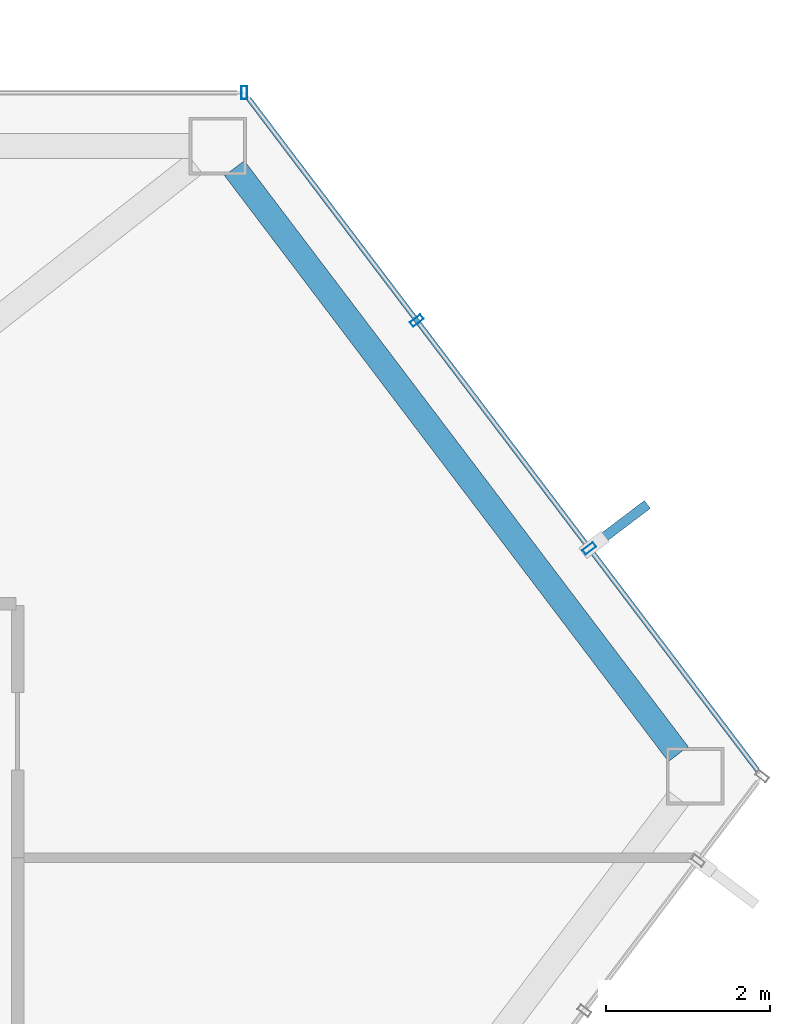
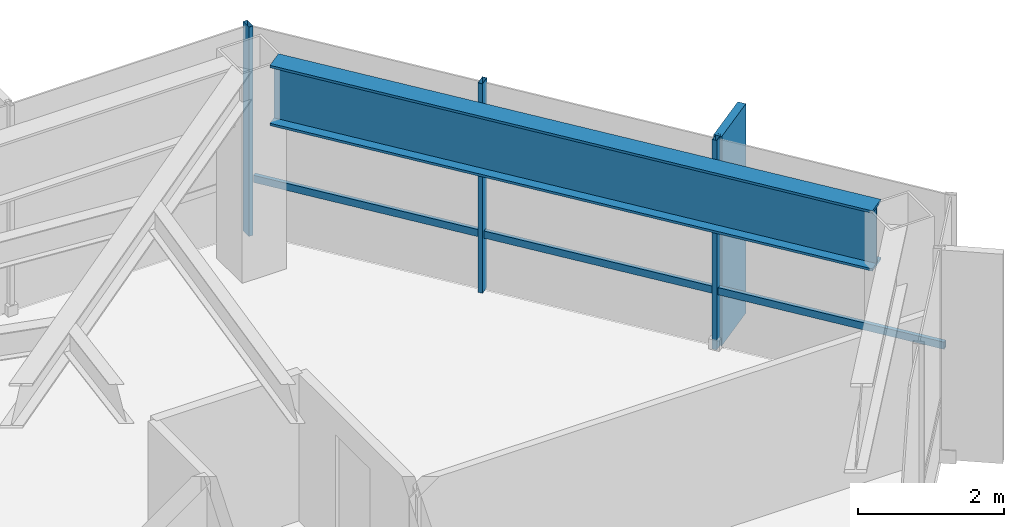
# One storey, part 22 of 27: 5 members, 1 beam, 2 elements without a shape of their own.
"""IFC4 building model written with IfcOpenShell, lengths in metres."""

from ifc_helpers import new_model, si_unit, direction, frame, origin, origin_2d, place, context, subcontext, project, spatial, rectangle, hollow_rectangle, i_section, extrude, material, layer, layer_set, material_profile, profile_set, type_object, element, aggregate, save


model = new_model("IFC4")

# Units and contexts
model_context = context("Model", 3, precision=1e-05, world=origin(), true_north=direction((0.0, 1.0)))
body_context = subcontext(model_context, "Body", "Model", "MODEL_VIEW")
ifc_project = project(units=[si_unit("LENGTHUNIT", "METRE"), si_unit("AREAUNIT", "SQUARE_METRE"), si_unit("VOLUMEUNIT", "CUBIC_METRE"), si_unit("PLANEANGLEUNIT", "RADIAN"), si_unit("MASSUNIT", "GRAM", prefix="KILO")], contexts=[model_context])

# Site, building, storey
site_placement = place(None, origin())
site = spatial("IfcSite", under=ifc_project, at=site_placement, CompositionType="ELEMENT")
building_placement = place(site_placement, origin())
building = spatial("IfcBuilding", under=site, at=building_placement, Name="Zarrinselat Tower", CompositionType="ELEMENT")
storey_placement = place(building_placement, frame((0.0, 0.0, 175.780029296875)))
storey = spatial("IfcBuildingStorey", under=building, at=storey_placement, Name="L43", CompositionType="ELEMENT", Elevation=175.780029296875)

# Beam
ifc_material_1 = material(Name="Steel S460M", Category="steel")
ifc_material_profile_1 = material_profile(ifc_material_1, i_section(OverallWidth=0.302001953125, OverallDepth=1.008056640625, WebThickness=0.02099609375, FlangeThickness=0.0400390625, at=origin_2d()), Name="HEM 1000")
ifc_profile_set_1 = profile_set([ifc_material_profile_1], Name="Steel S460M")
beam_type = type_object("IfcBeamType", Name="BM-HEM1000", PredefinedType="BEAM", material=ifc_profile_set_1)
beam_placement = place(storey_placement, frame((56.639892578125, 47.802734375, 2.995849609375), z_axis=(0.603859788678, -0.797090556724, 0.0), x_axis=(0.797090556724, 0.603859788678, 0.0)))
element("IfcBeam", 1, at=beam_placement, inside=storey, type_object=beam_type, Name="L43 Perimeter Spandrel Girder SP15", PredefinedType="BEAM", context=body_context, shape_type="SweptSolid", body=[
    extrude(i_section(OverallWidth=0.302001953125, OverallDepth=1.008056640625, WebThickness=0.02099609375, FlangeThickness=0.0400390625, at=origin_2d()), origin(), (0.0, 0.0, 1.0), 8.950439453125),
])

# Curtain wall, member
ifc_material_2 = material(Name="Extruded Aluminium Alloy EN AW-6063 T6", Category="aluminium")
ifc_layer = layer(ifc_material_2, 0.175048828125)
ifc_layer_set = layer_set([ifc_layer], Name="Extruded Aluminium Alloy EN AW-6063 T6")
curtain_wall_type = type_object("IfcCurtainWallType", Name="CWS-HTL", PredefinedType="NOTDEFINED", material=ifc_layer_set)
curtain_wall_1_placement = place(storey_placement, origin())
curtain_wall_1 = element("IfcCurtainWall", 2, at=curtain_wall_1_placement, inside=storey, type_object=curtain_wall_type, Name="L43 Unitised Curtain Wall CW-L43-E01", PredefinedType="NOTDEFINED")
ifc_material_3 = material(Name="Extruded Aluminium Alloy EN AW-6063 T6", Category="aluminium")
ifc_material_profile_2 = material_profile(ifc_material_3, hollow_rectangle(XDim=0.070068359375, YDim=0.159912109375, WallThickness=0.00390625, at=origin_2d()), Name="RHS 160x70x4")
ifc_profile_set_2 = profile_set([ifc_material_profile_2], Name="Extruded Aluminium Alloy EN AW-6063 T6")
member_type_1 = type_object("IfcMemberType", Name="MEM-CW-MUL2", PredefinedType="MULLION", material=ifc_profile_set_2)
member_1_placement = place(storey_placement, frame((56.7587890625, 48.72216796875, 0.0), z_axis=(0.0, 0.0, 1.0), x_axis=(-1.0, 0.0, 0.0)))
member_1 = element("IfcMember", 3, at=member_1_placement, type_object=member_type_1, Name="CW-L43-E01 Mullion 0", PredefinedType="MULLION", context=body_context, shape_type="SweptSolid", body=[
    extrude(hollow_rectangle(XDim=0.070068359375, YDim=0.159912109375, WallThickness=0.00390625, at=origin_2d()), origin(), (0.0, 0.0, 1.0), 3.5),
])
aggregate(curtain_wall_1, [member_1])

# Curtain wall, members
curtain_wall_2_placement = place(storey_placement, origin())
curtain_wall_2 = element("IfcCurtainWall", 4, at=curtain_wall_2_placement, inside=storey, type_object=curtain_wall_type, Name="L43 Unitised Curtain Wall CW-L43-E06", PredefinedType="NOTDEFINED")
member_2_placement = place(storey_placement, frame((60.96240234375, 43.17333984375, 0.0), z_axis=(0.0, 0.0, 1.0), x_axis=(-0.603860453729, 0.797090052893, 0.0)))
member_2 = element("IfcMember", 5, at=member_2_placement, type_object=member_type_1, Name="CW-L43-E06 Mullion 1", PredefinedType="MULLION", context=body_context, shape_type="SweptSolid", body=[
    extrude(hollow_rectangle(XDim=0.070068359375, YDim=0.159912109375, WallThickness=0.00390625, at=origin_2d()), origin(), (0.0, 0.0, 1.0), 3.5),
])
member_3_placement = place(storey_placement, frame((58.860595703125, 45.94775390625, 0.0), z_axis=(0.0, 0.0, 1.0), x_axis=(-0.603860453729, 0.797090052893, 0.0)))
member_3 = element("IfcMember", 6, at=member_3_placement, type_object=member_type_1, Name="CW-L43-E06 Mullion 2", PredefinedType="MULLION", context=body_context, shape_type="SweptSolid", body=[
    extrude(hollow_rectangle(XDim=0.070068359375, YDim=0.159912109375, WallThickness=0.00390625, at=origin_2d()), origin(), (0.0, 0.0, 1.0), 3.5),
])
ifc_material_4 = material(Name="Extruded Aluminium Alloy EN AW-6063 T6", Category="aluminium")
ifc_material_profile_3 = material_profile(ifc_material_4, hollow_rectangle(XDim=0.06005859375, YDim=0.1201171875, WallThickness=0.00390625, at=origin_2d()), Name="RHS 120x60x4")
ifc_profile_set_3 = profile_set([ifc_material_profile_3], Name="Extruded Aluminium Alloy EN AW-6063 T6")
member_type_2 = type_object("IfcMemberType", Name="MEM-CW-TRN2", PredefinedType="USERDEFINED", material=ifc_profile_set_3)
member_4_placement = place(storey_placement, frame((63.010009765625, 40.470703125, 0.949951171875), z_axis=(-0.603875551577, 0.797078614823, 0.0), x_axis=(-0.797078614823, -0.603875551577, 0.0)))
member_4 = element("IfcMember", 7, at=member_4_placement, type_object=member_type_2, Name="CW-L43-E06 Transom 1", ObjectType="TRANSOM", PredefinedType="USERDEFINED", context=body_context, shape_type="SweptSolid", body=[
    extrude(hollow_rectangle(XDim=0.06005859375, YDim=0.1201171875, WallThickness=0.00390625, at=origin_2d()), origin(), (0.0, 0.0, 1.0), 10.261962890625),
])
ifc_material_5 = material(Name="Honed Cream Travertine Stone", Category="masonry")
ifc_material_profile_4 = material_profile(ifc_material_5, rectangle(XDim=0.1201171875, YDim=0.85009765625, at=origin_2d()), Name="FIN 850x120")
ifc_profile_set_4 = profile_set([ifc_material_profile_4], Name="Honed Cream Travertine Stone")
member_type_3 = type_object("IfcMemberType", Name="MEM-STONE-FIN", PredefinedType="USERDEFINED", material=ifc_profile_set_4)
member_5_placement = place(storey_placement, frame((61.3291015625, 43.451171875, 0.0), z_axis=(0.0, 0.0, 1.0), x_axis=(0.603860453729, -0.797090052893, 0.0)))
member_5 = element("IfcMember", 8, at=member_5_placement, type_object=member_type_3, Name="L43 Stone Shading Fin CW-L43-E06-01", ObjectType="FIN", PredefinedType="USERDEFINED", context=body_context, shape_type="SweptSolid", body=[
    extrude(rectangle(XDim=0.1201171875, YDim=0.85009765625, at=origin_2d()), origin(), (0.0, 0.0, 1.0), 3.5),
])
aggregate(curtain_wall_2, [member_2, member_5, member_3, member_4])

save(model, "model.ifc")
